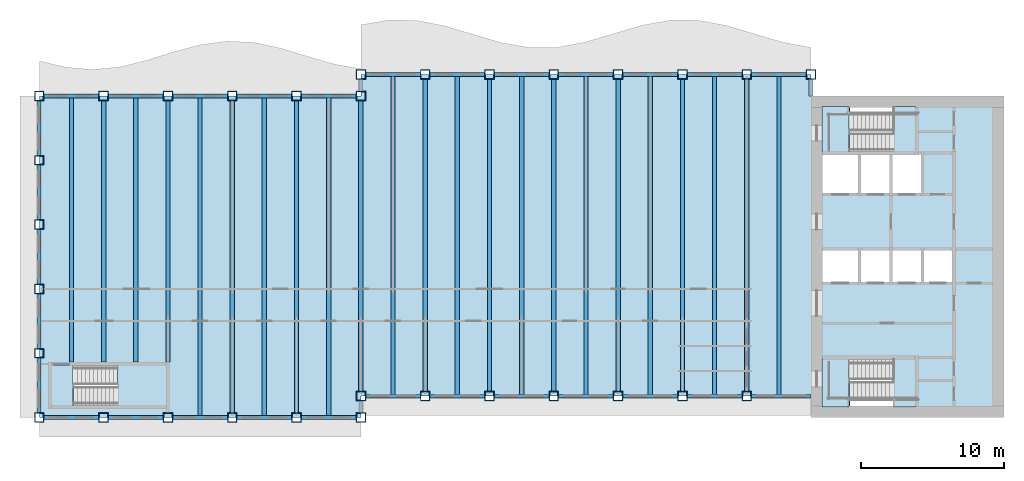
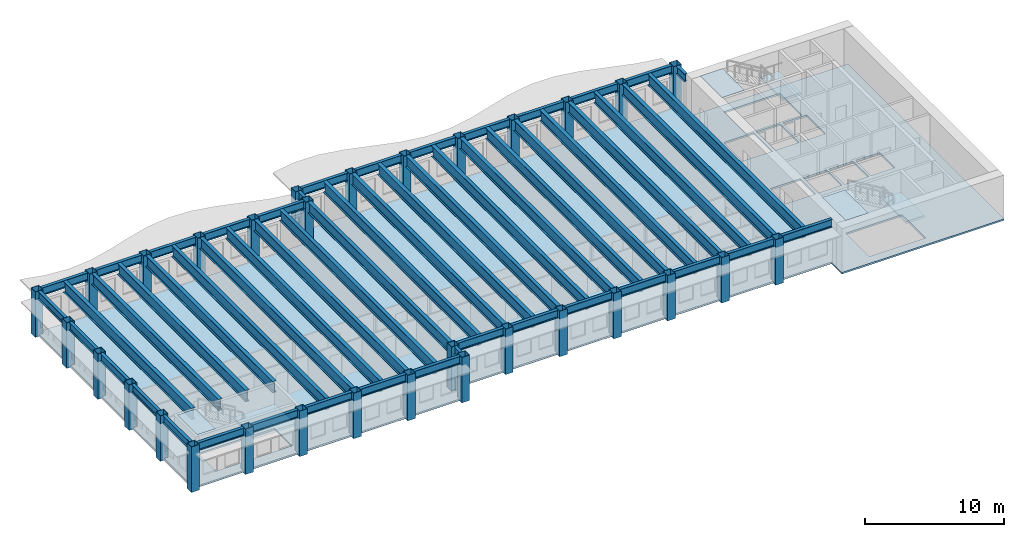
# One storey, part 1 of 12: 55 beams, 31 columns, 7 slabs, 3 elements without a shape of their own.
"""IFC4 building model written with IfcOpenShell, lengths in metres."""

from ifc_helpers import new_model, si_unit, direction, frame, origin, origin_2d, place, context, subcontext, project, spatial, polyline, hollow_rectangle, i_section, outline, extrude, material, layer, layer_set, material_profile, profile_set, type_object, element, aggregate, save


model = new_model("IFC4")

# Units and contexts
model_context = context("Model", 3, precision=1e-05, world=origin(), true_north=direction((0.0, 1.0)))
body_context = subcontext(model_context, "Body", "Model", "MODEL_VIEW")
ifc_project = project(units=[si_unit("LENGTHUNIT", "METRE"), si_unit("AREAUNIT", "SQUARE_METRE"), si_unit("VOLUMEUNIT", "CUBIC_METRE"), si_unit("PLANEANGLEUNIT", "RADIAN"), si_unit("MASSUNIT", "GRAM", prefix="KILO")], contexts=[model_context])

# Site, building, storey
site_placement = place(None, origin())
site = spatial("IfcSite", under=ifc_project, at=site_placement, CompositionType="ELEMENT")
building_placement = place(site_placement, origin())
building = spatial("IfcBuilding", under=site, at=building_placement, Name="Sennacour Bend Tower", CompositionType="ELEMENT")
storey_placement = place(building_placement, frame((0.0, 0.0, 277.0)))
storey = spatial("IfcBuildingStorey", under=building, at=storey_placement, Name="L64", CompositionType="ELEMENT", Elevation=277.0)

# Columns
ifc_material_1 = material(Name="Steel ASTM A572 Grade 50", Category="steel")
ifc_material_profile_1 = material_profile(ifc_material_1, hollow_rectangle(XDim=0.64990234375, YDim=0.64990234375, WallThickness=0.031982421875, at=origin_2d()), Name="Steel ASTM A572 Grade 50", Category="steel")
ifc_profile_set_1 = profile_set([ifc_material_profile_1], Name="Steel ASTM A572 Grade 50")
column_type = type_object("IfcColumnType", Name="Box column 650", PredefinedType="COLUMN", material=ifc_profile_set_1)
for number, where, z_axis, x_axis, name in (
    (1, (0.0, 0.0, -0.14990234375), (0.0, 0.0, 1.0), (1.0, 0.0, 0.0), "Perimeter column C5 L64-001"),
    (2, (0.0, 4.5, -0.14990234375), (0.0, 0.0, 1.0), (1.0, 0.0, 0.0), "Perimeter column C5 L64-002"),
    (3, (0.0, 9.0, -0.14990234375), (0.0, 0.0, 1.0), (1.0, 0.0, 0.0), "Perimeter column C5 L64-003"),
    (4, (0.0, 13.5, -0.14990234375), (0.0, 0.0, 1.0), (1.0, 0.0, 0.0), "Perimeter column C5 L64-004"),
    (5, (0.0, 18.0, -0.14990234375), (0.0, 0.0, 1.0), (1.0, 0.0, 0.0), "Perimeter column C5 L64-005"),
    (6, (0.0, 22.5, -0.14990234375), (0.0, 0.0, 1.0), (1.0, 0.0, 0.0), "Perimeter column C5 L64-006"),
    (7, (4.5, 0.0, -0.14990234375), (0.0, 0.0, 1.0), (1.0, 0.0, 0.0), "Perimeter column C5 L64-007"),
    (8, (4.5, 22.5, -0.14990234375), (0.0, 0.0, 1.0), (1.0, 0.0, 0.0), "Perimeter column C5 L64-008"),
    (9, (9.0, 0.0, -0.14990234375), (0.0, 0.0, 1.0), (1.0, 0.0, 0.0), "Perimeter column C5 L64-009"),
    (10, (9.0, 22.5, -0.14990234375), (0.0, 0.0, 1.0), (1.0, 0.0, 0.0), "Perimeter column C5 L64-010"),
    (11, (13.5, 0.0, -0.14990234375), (0.0, 0.0, 1.0), (1.0, 0.0, 0.0), "Perimeter column C5 L64-011"),
    (12, (13.5, 22.5, -0.14990234375), (0.0, 0.0, 1.0), (1.0, 0.0, 0.0), "Perimeter column C5 L64-012"),
    (13, (18.0, 0.0, -0.14990234375), (0.0, 0.0, 1.0), (1.0, 0.0, 0.0), "Perimeter column C5 L64-013"),
    (14, (18.0, 22.5, -0.14990234375), (0.0, 0.0, 1.0), (1.0, 0.0, 0.0), "Perimeter column C5 L64-014"),
    (15, (22.5, 0.0, -0.14990234375), (0.0, 0.0, 1.0), (1.0, 0.0, 0.0), "Perimeter column C5 L64-015"),
    (16, (22.5, 1.5, -0.14990234375), (0.0, 0.0, 1.0), (1.0, 0.0, 0.0), "Perimeter column C5 L64-016"),
    (17, (22.5, 22.5, -0.14990234375), (0.0, 0.0, 1.0), (1.0, 0.0, 0.0), "Perimeter column C5 L64-017"),
    (18, (22.5, 24.0, -0.14990234375), (0.0, 0.0, 1.0), (1.0, 0.0, 0.0), "Perimeter column C5 L64-018"),
    (19, (27.0, 1.5, -0.14990234375), (0.0, 0.0, 1.0), (1.0, 0.0, 0.0), "Perimeter column C5 L64-019"),
    (20, (27.0, 24.0, -0.14990234375), (0.0, 0.0, 1.0), (1.0, 0.0, 0.0), "Perimeter column C5 L64-020"),
    (21, (31.5, 1.5, -0.14990234375), (0.0, 0.0, 1.0), (1.0, 0.0, 0.0), "Perimeter column C5 L64-021"),
    (22, (31.5, 24.0, -0.14990234375), (0.0, 0.0, 1.0), (1.0, 0.0, 0.0), "Perimeter column C5 L64-022"),
    (23, (36.0, 1.5, -0.14990234375), (0.0, 0.0, 1.0), (1.0, 0.0, 0.0), "Perimeter column C5 L64-023"),
    (24, (36.0, 24.0, -0.14990234375), (0.0, 0.0, 1.0), (1.0, 0.0, 0.0), "Perimeter column C5 L64-024"),
    (25, (40.5, 1.5, -0.14990234375), (0.0, 0.0, 1.0), (1.0, 0.0, 0.0), "Perimeter column C5 L64-025"),
    (26, (40.5, 24.0, -0.14990234375), (0.0, 0.0, 1.0), (1.0, 0.0, 0.0), "Perimeter column C5 L64-026"),
    (27, (45.0, 1.5, -0.14990234375), (0.0, 0.0, 1.0), (1.0, 0.0, 0.0), "Perimeter column C5 L64-027"),
    (28, (45.0, 24.0, -0.14990234375), (0.0, 0.0, 1.0), (1.0, 0.0, 0.0), "Perimeter column C5 L64-028"),
    (29, (49.5, 1.5, -0.14990234375), (0.0, 0.0, 1.0), (1.0, 0.0, 0.0), "Perimeter column C5 L64-029"),
    (30, (49.5, 24.0, -0.14990234375), (0.0, 0.0, 1.0), (1.0, 0.0, 0.0), "Perimeter column C5 L64-030"),
    (31, (54.0, 24.0, -0.14990234375), (0.0, 0.0, 1.0), (1.0, 0.0, 0.0), "Perimeter column C5 L64-031"),
):
    element("IfcColumn", number, at=place(storey_placement, frame(where, z_axis=z_axis, x_axis=x_axis)), inside=storey, type_object=column_type, Name=name, PredefinedType="COLUMN", context=body_context, shape_type="SweptSolid", body=[
        extrude(hollow_rectangle(XDim=0.64990234375, YDim=0.64990234375, WallThickness=0.031982421875, at=origin_2d()), origin(), (0.0, 0.0, 1.0), 4.0),
    ])

# Beams
ifc_material_2 = material(Name="Steel ASTM A992 Grade 50", Category="steel")
ifc_material_profile_2 = material_profile(ifc_material_2, i_section(OverallWidth=0.300048828125, OverallDepth=0.97998046875, WebThickness=0.0166015625, FlangeThickness=0.026123046875, FilletRadius=0.02978515625, at=origin_2d()), Name="Steel ASTM A992 Grade 50", Category="steel")
ifc_profile_set_2 = profile_set([ifc_material_profile_2], Name="Steel ASTM A992 Grade 50")
beam_type_1 = type_object("IfcBeamType", Name="Floor beam W1000X249", PredefinedType="BEAM", material=ifc_profile_set_2)
beam_1_placement = place(storey_placement, frame((2.25, 3.875, 3.360107421875), z_axis=(0.0, 1.0, 0.0), x_axis=(-1.0, 0.0, 0.0)))
element("IfcBeam", 32, at=beam_1_placement, inside=storey, type_object=beam_type_1, Name="Floor beam FBM2 L65-001", PredefinedType="BEAM", context=body_context, shape_type="SweptSolid", body=[
    extrude(i_section(OverallWidth=0.300048828125, OverallDepth=0.97998046875, WebThickness=0.0166015625, FlangeThickness=0.026123046875, FilletRadius=0.02978515625, at=origin_2d()), origin(), (0.0, 0.0, 1.0), 18.498046875),
])
beam_2_placement = place(storey_placement, frame((4.5, 3.875, 3.360107421875), z_axis=(0.0, 1.0, 0.0), x_axis=(-1.0, 0.0, 0.0)))
element("IfcBeam", 33, at=beam_2_placement, inside=storey, type_object=beam_type_1, Name="Floor beam FBM2 L65-002", PredefinedType="BEAM", context=body_context, shape_type="SweptSolid", body=[
    extrude(i_section(OverallWidth=0.300048828125, OverallDepth=0.97998046875, WebThickness=0.0166015625, FlangeThickness=0.026123046875, FilletRadius=0.02978515625, at=origin_2d()), origin(), (0.0, 0.0, 1.0), 18.300048828125),
])
beam_3_placement = place(storey_placement, frame((6.75, 3.875, 3.360107421875), z_axis=(0.0, 1.0, 0.0), x_axis=(-1.0, 0.0, 0.0)))
element("IfcBeam", 34, at=beam_3_placement, inside=storey, type_object=beam_type_1, Name="Floor beam FBM2 L65-003", PredefinedType="BEAM", context=body_context, shape_type="SweptSolid", body=[
    extrude(i_section(OverallWidth=0.300048828125, OverallDepth=0.97998046875, WebThickness=0.0166015625, FlangeThickness=0.026123046875, FilletRadius=0.02978515625, at=origin_2d()), origin(), (0.0, 0.0, 1.0), 18.498046875),
])
beam_4_placement = place(storey_placement, frame((9.0, 3.875, 3.360107421875), z_axis=(0.0, 1.0, 0.0), x_axis=(-1.0, 0.0, 0.0)))
element("IfcBeam", 35, at=beam_4_placement, inside=storey, type_object=beam_type_1, Name="Floor beam FBM2 L65-004", PredefinedType="BEAM", context=body_context, shape_type="SweptSolid", body=[
    extrude(i_section(OverallWidth=0.300048828125, OverallDepth=0.97998046875, WebThickness=0.0166015625, FlangeThickness=0.026123046875, FilletRadius=0.02978515625, at=origin_2d()), origin(), (0.0, 0.0, 1.0), 18.300048828125),
])
beam_5_placement = place(storey_placement, frame((11.25, 0.126953125, 3.360107421875), z_axis=(0.0, 1.0, 0.0), x_axis=(-1.0, 0.0, 0.0)))
element("IfcBeam", 36, at=beam_5_placement, inside=storey, type_object=beam_type_1, Name="Floor beam FBM2 L65-005", PredefinedType="BEAM", context=body_context, shape_type="SweptSolid", body=[
    extrude(i_section(OverallWidth=0.300048828125, OverallDepth=0.97998046875, WebThickness=0.0166015625, FlangeThickness=0.026123046875, FilletRadius=0.02978515625, at=origin_2d()), origin(), (0.0, 0.0, 1.0), 22.24609375),
])
beam_6_placement = place(storey_placement, frame((13.5, 0.324951171875, 3.360107421875), z_axis=(0.0, 1.0, 0.0), x_axis=(-1.0, 0.0, 0.0)))
element("IfcBeam", 37, at=beam_6_placement, inside=storey, type_object=beam_type_1, Name="Floor beam FBM2 L65-006", PredefinedType="BEAM", context=body_context, shape_type="SweptSolid", body=[
    extrude(i_section(OverallWidth=0.300048828125, OverallDepth=0.97998046875, WebThickness=0.0166015625, FlangeThickness=0.026123046875, FilletRadius=0.02978515625, at=origin_2d()), origin(), (0.0, 0.0, 1.0), 21.85009765625),
])
beam_7_placement = place(storey_placement, frame((15.75, 0.126953125, 3.360107421875), z_axis=(0.0, 1.0, 0.0), x_axis=(-1.0, 0.0, 0.0)))
element("IfcBeam", 38, at=beam_7_placement, inside=storey, type_object=beam_type_1, Name="Floor beam FBM2 L65-007", PredefinedType="BEAM", context=body_context, shape_type="SweptSolid", body=[
    extrude(i_section(OverallWidth=0.300048828125, OverallDepth=0.97998046875, WebThickness=0.0166015625, FlangeThickness=0.026123046875, FilletRadius=0.02978515625, at=origin_2d()), origin(), (0.0, 0.0, 1.0), 22.24609375),
])
beam_8_placement = place(storey_placement, frame((18.0, 0.324951171875, 3.360107421875), z_axis=(0.0, 1.0, 0.0), x_axis=(-1.0, 0.0, 0.0)))
element("IfcBeam", 39, at=beam_8_placement, inside=storey, type_object=beam_type_1, Name="Floor beam FBM2 L65-008", PredefinedType="BEAM", context=body_context, shape_type="SweptSolid", body=[
    extrude(i_section(OverallWidth=0.300048828125, OverallDepth=0.97998046875, WebThickness=0.0166015625, FlangeThickness=0.026123046875, FilletRadius=0.02978515625, at=origin_2d()), origin(), (0.0, 0.0, 1.0), 21.85009765625),
])
beam_9_placement = place(storey_placement, frame((20.25, 0.126953125, 3.360107421875), z_axis=(0.0, 1.0, 0.0), x_axis=(-1.0, 0.0, 0.0)))
element("IfcBeam", 40, at=beam_9_placement, inside=storey, type_object=beam_type_1, Name="Floor beam FBM2 L65-009", PredefinedType="BEAM", context=body_context, shape_type="SweptSolid", body=[
    extrude(i_section(OverallWidth=0.300048828125, OverallDepth=0.97998046875, WebThickness=0.0166015625, FlangeThickness=0.026123046875, FilletRadius=0.02978515625, at=origin_2d()), origin(), (0.0, 0.0, 1.0), 22.24609375),
])
beam_10_placement = place(storey_placement, frame((22.5, 1.824951171875, 3.360107421875), z_axis=(0.0, 1.0, 0.0), x_axis=(-1.0, 0.0, 0.0)))
element("IfcBeam", 41, at=beam_10_placement, inside=storey, type_object=beam_type_1, Name="Floor beam FBM2 L65-010", PredefinedType="BEAM", context=body_context, shape_type="SweptSolid", body=[
    extrude(i_section(OverallWidth=0.300048828125, OverallDepth=0.97998046875, WebThickness=0.0166015625, FlangeThickness=0.026123046875, FilletRadius=0.02978515625, at=origin_2d()), origin(), (0.0, 0.0, 1.0), 20.35009765625),
])
beam_11_placement = place(storey_placement, frame((24.75, 1.626953125, 3.360107421875), z_axis=(0.0, 1.0, 0.0), x_axis=(-1.0, 0.0, 0.0)))
element("IfcBeam", 42, at=beam_11_placement, inside=storey, type_object=beam_type_1, Name="Floor beam FBM2 L65-011", PredefinedType="BEAM", context=body_context, shape_type="SweptSolid", body=[
    extrude(i_section(OverallWidth=0.300048828125, OverallDepth=0.97998046875, WebThickness=0.0166015625, FlangeThickness=0.026123046875, FilletRadius=0.02978515625, at=origin_2d()), origin(), (0.0, 0.0, 1.0), 22.24609375),
])
beam_12_placement = place(storey_placement, frame((27.0, 1.824951171875, 3.360107421875), z_axis=(0.0, 1.0, 0.0), x_axis=(-1.0, 0.0, 0.0)))
element("IfcBeam", 43, at=beam_12_placement, inside=storey, type_object=beam_type_1, Name="Floor beam FBM2 L65-012", PredefinedType="BEAM", context=body_context, shape_type="SweptSolid", body=[
    extrude(i_section(OverallWidth=0.300048828125, OverallDepth=0.97998046875, WebThickness=0.0166015625, FlangeThickness=0.026123046875, FilletRadius=0.02978515625, at=origin_2d()), origin(), (0.0, 0.0, 1.0), 21.85009765625),
])
beam_13_placement = place(storey_placement, frame((29.25, 1.626953125, 3.360107421875), z_axis=(0.0, 1.0, 0.0), x_axis=(-1.0, 0.0, 0.0)))
element("IfcBeam", 44, at=beam_13_placement, inside=storey, type_object=beam_type_1, Name="Floor beam FBM2 L65-013", PredefinedType="BEAM", context=body_context, shape_type="SweptSolid", body=[
    extrude(i_section(OverallWidth=0.300048828125, OverallDepth=0.97998046875, WebThickness=0.0166015625, FlangeThickness=0.026123046875, FilletRadius=0.02978515625, at=origin_2d()), origin(), (0.0, 0.0, 1.0), 22.24609375),
])
beam_14_placement = place(storey_placement, frame((31.5, 1.824951171875, 3.360107421875), z_axis=(0.0, 1.0, 0.0), x_axis=(-1.0, 0.0, 0.0)))
element("IfcBeam", 45, at=beam_14_placement, inside=storey, type_object=beam_type_1, Name="Floor beam FBM2 L65-014", PredefinedType="BEAM", context=body_context, shape_type="SweptSolid", body=[
    extrude(i_section(OverallWidth=0.300048828125, OverallDepth=0.97998046875, WebThickness=0.0166015625, FlangeThickness=0.026123046875, FilletRadius=0.02978515625, at=origin_2d()), origin(), (0.0, 0.0, 1.0), 21.85009765625),
])
beam_15_placement = place(storey_placement, frame((33.75, 1.626953125, 3.360107421875), z_axis=(0.0, 1.0, 0.0), x_axis=(-1.0, 0.0, 0.0)))
element("IfcBeam", 46, at=beam_15_placement, inside=storey, type_object=beam_type_1, Name="Floor beam FBM2 L65-015", PredefinedType="BEAM", context=body_context, shape_type="SweptSolid", body=[
    extrude(i_section(OverallWidth=0.300048828125, OverallDepth=0.97998046875, WebThickness=0.0166015625, FlangeThickness=0.026123046875, FilletRadius=0.02978515625, at=origin_2d()), origin(), (0.0, 0.0, 1.0), 22.24609375),
])
beam_16_placement = place(storey_placement, frame((36.0, 1.824951171875, 3.360107421875), z_axis=(0.0, 1.0, 0.0), x_axis=(-1.0, 0.0, 0.0)))
element("IfcBeam", 47, at=beam_16_placement, inside=storey, type_object=beam_type_1, Name="Floor beam FBM2 L65-016", PredefinedType="BEAM", context=body_context, shape_type="SweptSolid", body=[
    extrude(i_section(OverallWidth=0.300048828125, OverallDepth=0.97998046875, WebThickness=0.0166015625, FlangeThickness=0.026123046875, FilletRadius=0.02978515625, at=origin_2d()), origin(), (0.0, 0.0, 1.0), 21.85009765625),
])
beam_17_placement = place(storey_placement, frame((38.25, 1.626953125, 3.360107421875), z_axis=(0.0, 1.0, 0.0), x_axis=(-1.0, 0.0, 0.0)))
element("IfcBeam", 48, at=beam_17_placement, inside=storey, type_object=beam_type_1, Name="Floor beam FBM2 L65-017", PredefinedType="BEAM", context=body_context, shape_type="SweptSolid", body=[
    extrude(i_section(OverallWidth=0.300048828125, OverallDepth=0.97998046875, WebThickness=0.0166015625, FlangeThickness=0.026123046875, FilletRadius=0.02978515625, at=origin_2d()), origin(), (0.0, 0.0, 1.0), 22.24609375),
])
beam_18_placement = place(storey_placement, frame((40.5, 1.824951171875, 3.360107421875), z_axis=(0.0, 1.0, 0.0), x_axis=(-1.0, 0.0, 0.0)))
element("IfcBeam", 49, at=beam_18_placement, inside=storey, type_object=beam_type_1, Name="Floor beam FBM2 L65-018", PredefinedType="BEAM", context=body_context, shape_type="SweptSolid", body=[
    extrude(i_section(OverallWidth=0.300048828125, OverallDepth=0.97998046875, WebThickness=0.0166015625, FlangeThickness=0.026123046875, FilletRadius=0.02978515625, at=origin_2d()), origin(), (0.0, 0.0, 1.0), 21.85009765625),
])
beam_19_placement = place(storey_placement, frame((42.75, 1.626953125, 3.360107421875), z_axis=(0.0, 1.0, 0.0), x_axis=(-1.0, 0.0, 0.0)))
element("IfcBeam", 50, at=beam_19_placement, inside=storey, type_object=beam_type_1, Name="Floor beam FBM2 L65-019", PredefinedType="BEAM", context=body_context, shape_type="SweptSolid", body=[
    extrude(i_section(OverallWidth=0.300048828125, OverallDepth=0.97998046875, WebThickness=0.0166015625, FlangeThickness=0.026123046875, FilletRadius=0.02978515625, at=origin_2d()), origin(), (0.0, 0.0, 1.0), 22.24609375),
])
beam_20_placement = place(storey_placement, frame((45.0, 1.824951171875, 3.360107421875), z_axis=(0.0, 1.0, 0.0), x_axis=(-1.0, 0.0, 0.0)))
element("IfcBeam", 51, at=beam_20_placement, inside=storey, type_object=beam_type_1, Name="Floor beam FBM2 L65-020", PredefinedType="BEAM", context=body_context, shape_type="SweptSolid", body=[
    extrude(i_section(OverallWidth=0.300048828125, OverallDepth=0.97998046875, WebThickness=0.0166015625, FlangeThickness=0.026123046875, FilletRadius=0.02978515625, at=origin_2d()), origin(), (0.0, 0.0, 1.0), 21.85009765625),
])
beam_21_placement = place(storey_placement, frame((47.25, 1.626953125, 3.360107421875), z_axis=(0.0, 1.0, 0.0), x_axis=(-1.0, 0.0, 0.0)))
element("IfcBeam", 52, at=beam_21_placement, inside=storey, type_object=beam_type_1, Name="Floor beam FBM2 L65-021", PredefinedType="BEAM", context=body_context, shape_type="SweptSolid", body=[
    extrude(i_section(OverallWidth=0.300048828125, OverallDepth=0.97998046875, WebThickness=0.0166015625, FlangeThickness=0.026123046875, FilletRadius=0.02978515625, at=origin_2d()), origin(), (0.0, 0.0, 1.0), 22.24609375),
])
beam_22_placement = place(storey_placement, frame((49.5, 1.824951171875, 3.360107421875), z_axis=(0.0, 1.0, 0.0), x_axis=(-1.0, 0.0, 0.0)))
element("IfcBeam", 53, at=beam_22_placement, inside=storey, type_object=beam_type_1, Name="Floor beam FBM2 L65-022", PredefinedType="BEAM", context=body_context, shape_type="SweptSolid", body=[
    extrude(i_section(OverallWidth=0.300048828125, OverallDepth=0.97998046875, WebThickness=0.0166015625, FlangeThickness=0.026123046875, FilletRadius=0.02978515625, at=origin_2d()), origin(), (0.0, 0.0, 1.0), 21.85009765625),
])
beam_23_placement = place(storey_placement, frame((51.75, 1.626953125, 3.360107421875), z_axis=(0.0, 1.0, 0.0), x_axis=(-1.0, 0.0, 0.0)))
element("IfcBeam", 54, at=beam_23_placement, inside=storey, type_object=beam_type_1, Name="Floor beam FBM2 L65-023", PredefinedType="BEAM", context=body_context, shape_type="SweptSolid", body=[
    extrude(i_section(OverallWidth=0.300048828125, OverallDepth=0.97998046875, WebThickness=0.0166015625, FlangeThickness=0.026123046875, FilletRadius=0.02978515625, at=origin_2d()), origin(), (0.0, 0.0, 1.0), 22.24609375),
])
ifc_material_profile_3 = material_profile(ifc_material_2, i_section(OverallWidth=0.25390625, OverallDepth=0.68798828125, WebThickness=0.01318359375, FlangeThickness=0.02099609375, FilletRadius=0.01513671875, at=origin_2d()), Name="Steel ASTM A992 Grade 50", Category="steel")
ifc_profile_set_3 = profile_set([ifc_material_profile_3], Name="Steel ASTM A992 Grade 50")
beam_type_2 = type_object("IfcBeamType", Name="Spandrel beam W690X152", PredefinedType="SPANDREL", material=ifc_profile_set_3)
for number, where, z_axis, x_axis, name in (
    (55, (22.175048828125, 0.0, 3.506103515625), (-1.0, 0.0, 0.0), (0.0, -1.0, 0.0), "Spandrel beam SP6 L65-001"),
    (56, (17.675048828125, 0.0, 3.506103515625), (-1.0, 0.0, 0.0), (0.0, -1.0, 0.0), "Spandrel beam SP6 L65-002"),
    (57, (13.175048828125, 0.0, 3.506103515625), (-1.0, 0.0, 0.0), (0.0, -1.0, 0.0), "Spandrel beam SP6 L65-003"),
    (58, (8.675048828125, 0.0, 3.506103515625), (-1.0, 0.0, 0.0), (0.0, -1.0, 0.0), "Spandrel beam SP6 L65-004"),
    (59, (4.175048828125, 0.0, 3.506103515625), (-1.0, 0.0, 0.0), (0.0, -1.0, 0.0), "Spandrel beam SP6 L65-005"),
    (60, (0.0, 0.324951171875, 3.506103515625), (0.0, 1.0, 0.0), (-1.0, 0.0, 0.0), "Spandrel beam SP6 L65-006"),
    (61, (0.0, 4.824951171875, 3.506103515625), (0.0, 1.0, 0.0), (-1.0, 0.0, 0.0), "Spandrel beam SP6 L65-007"),
    (62, (0.0, 9.324951171875, 3.506103515625), (0.0, 1.0, 0.0), (-1.0, 0.0, 0.0), "Spandrel beam SP6 L65-008"),
    (63, (0.0, 13.824951171875, 3.506103515625), (0.0, 1.0, 0.0), (-1.0, 0.0, 0.0), "Spandrel beam SP6 L65-009"),
    (64, (0.0, 18.324951171875, 3.506103515625), (0.0, 1.0, 0.0), (-1.0, 0.0, 0.0), "Spandrel beam SP6 L65-010"),
    (65, (0.324951171875, 22.5, 3.506103515625), (1.0, 0.0, 0.0), (0.0, 1.0, 0.0), "Spandrel beam SP6 L65-011"),
    (66, (4.824951171875, 22.5, 3.506103515625), (1.0, 0.0, 0.0), (0.0, 1.0, 0.0), "Spandrel beam SP6 L65-012"),
    (67, (9.324951171875, 22.5, 3.506103515625), (1.0, 0.0, 0.0), (0.0, 1.0, 0.0), "Spandrel beam SP6 L65-013"),
    (68, (13.824951171875, 22.5, 3.506103515625), (1.0, 0.0, 0.0), (0.0, 1.0, 0.0), "Spandrel beam SP6 L65-014"),
    (69, (18.324951171875, 22.5, 3.506103515625), (1.0, 0.0, 0.0), (0.0, 1.0, 0.0), "Spandrel beam SP6 L65-015"),
):
    element("IfcBeam", number, at=place(storey_placement, frame(where, z_axis=z_axis, x_axis=x_axis)), inside=storey, type_object=beam_type_2, Name=name, PredefinedType="SPANDREL", context=body_context, shape_type="SweptSolid", body=[
        extrude(i_section(OverallWidth=0.25390625, OverallDepth=0.68798828125, WebThickness=0.01318359375, FlangeThickness=0.02099609375, FilletRadius=0.01513671875, at=origin_2d()), origin(), (0.0, 0.0, 1.0), 3.85009765625),
    ])
beam_24_placement = place(storey_placement, frame((22.5, 22.824951171875, 3.506103515625), z_axis=(0.0, 1.0, 0.0), x_axis=(-1.0, 0.0, 0.0)))
element("IfcBeam", 70, at=beam_24_placement, inside=storey, type_object=beam_type_2, Name="Spandrel beam SP6 L65-016", PredefinedType="SPANDREL", context=body_context, shape_type="SweptSolid", body=[
    extrude(i_section(OverallWidth=0.25390625, OverallDepth=0.68798828125, WebThickness=0.01318359375, FlangeThickness=0.02099609375, FilletRadius=0.01513671875, at=origin_2d()), origin(), (0.0, 0.0, 1.0), 0.85009765625),
])
for number, where, z_axis, x_axis, name in (
    (71, (22.824951171875, 24.0, 3.506103515625), (1.0, 0.0, 0.0), (0.0, 1.0, 0.0), "Spandrel beam SP6 L65-017"),
    (72, (27.324951171875, 24.0, 3.506103515625), (1.0, 0.0, 0.0), (0.0, 1.0, 0.0), "Spandrel beam SP6 L65-018"),
    (73, (31.824951171875, 24.0, 3.506103515625), (1.0, 0.0, 0.0), (0.0, 1.0, 0.0), "Spandrel beam SP6 L65-019"),
    (74, (36.324951171875, 24.0, 3.506103515625), (1.0, 0.0, 0.0), (0.0, 1.0, 0.0), "Spandrel beam SP6 L65-020"),
    (75, (40.824951171875, 24.0, 3.506103515625), (1.0, 0.0, 0.0), (0.0, 1.0, 0.0), "Spandrel beam SP6 L65-021"),
    (76, (45.324951171875, 24.0, 3.506103515625), (1.0, 0.0, 0.0), (0.0, 1.0, 0.0), "Spandrel beam SP6 L65-022"),
    (77, (49.824951171875, 24.0, 3.506103515625), (1.0, 0.0, 0.0), (0.0, 1.0, 0.0), "Spandrel beam SP6 L65-023"),
):
    element("IfcBeam", number, at=place(storey_placement, frame(where, z_axis=z_axis, x_axis=x_axis)), inside=storey, type_object=beam_type_2, Name=name, PredefinedType="SPANDREL", context=body_context, shape_type="SweptSolid", body=[
        extrude(i_section(OverallWidth=0.25390625, OverallDepth=0.68798828125, WebThickness=0.01318359375, FlangeThickness=0.02099609375, FilletRadius=0.01513671875, at=origin_2d()), origin(), (0.0, 0.0, 1.0), 3.85009765625),
    ])
beam_25_placement = place(storey_placement, frame((54.0, 23.675048828125, 3.506103515625), z_axis=(0.0, -1.0, 0.0), x_axis=(1.0, 0.0, 0.0)))
element("IfcBeam", 78, at=beam_25_placement, inside=storey, type_object=beam_type_2, Name="Spandrel beam SP6 L65-024", PredefinedType="SPANDREL", context=body_context, shape_type="SweptSolid", body=[
    extrude(i_section(OverallWidth=0.25390625, OverallDepth=0.68798828125, WebThickness=0.01318359375, FlangeThickness=0.02099609375, FilletRadius=0.01513671875, at=origin_2d()), origin(), (0.0, 0.0, 1.0), 1.175048828125),
])
beam_26_placement = place(storey_placement, frame((54.0, 1.5, 3.506103515625), z_axis=(-1.0, 0.0, 0.0), x_axis=(0.0, -1.0, 0.0)))
element("IfcBeam", 79, at=beam_26_placement, inside=storey, type_object=beam_type_2, Name="Spandrel beam SP6 L65-025", PredefinedType="SPANDREL", context=body_context, shape_type="SweptSolid", body=[
    extrude(i_section(OverallWidth=0.25390625, OverallDepth=0.68798828125, WebThickness=0.01318359375, FlangeThickness=0.02099609375, FilletRadius=0.01513671875, at=origin_2d()), origin(), (0.0, 0.0, 1.0), 4.175048828125),
])
for number, where, z_axis, x_axis, name in (
    (80, (49.175048828125, 1.5, 3.506103515625), (-1.0, 0.0, 0.0), (0.0, -1.0, 0.0), "Spandrel beam SP6 L65-026"),
    (81, (44.675048828125, 1.5, 3.506103515625), (-1.0, 0.0, 0.0), (0.0, -1.0, 0.0), "Spandrel beam SP6 L65-027"),
    (82, (40.175048828125, 1.5, 3.506103515625), (-1.0, 0.0, 0.0), (0.0, -1.0, 0.0), "Spandrel beam SP6 L65-028"),
    (83, (35.675048828125, 1.5, 3.506103515625), (-1.0, 0.0, 0.0), (0.0, -1.0, 0.0), "Spandrel beam SP6 L65-029"),
    (84, (31.175048828125, 1.5, 3.506103515625), (-1.0, 0.0, 0.0), (0.0, -1.0, 0.0), "Spandrel beam SP6 L65-030"),
    (85, (26.675048828125, 1.5, 3.506103515625), (-1.0, 0.0, 0.0), (0.0, -1.0, 0.0), "Spandrel beam SP6 L65-031"),
):
    element("IfcBeam", number, at=place(storey_placement, frame(where, z_axis=z_axis, x_axis=x_axis)), inside=storey, type_object=beam_type_2, Name=name, PredefinedType="SPANDREL", context=body_context, shape_type="SweptSolid", body=[
        extrude(i_section(OverallWidth=0.25390625, OverallDepth=0.68798828125, WebThickness=0.01318359375, FlangeThickness=0.02099609375, FilletRadius=0.01513671875, at=origin_2d()), origin(), (0.0, 0.0, 1.0), 3.85009765625),
    ])
beam_27_placement = place(storey_placement, frame((22.5, 1.175048828125, 3.506103515625), z_axis=(0.0, -1.0, 0.0), x_axis=(1.0, 0.0, 0.0)))
element("IfcBeam", 86, at=beam_27_placement, inside=storey, type_object=beam_type_2, Name="Spandrel beam SP6 L65-032", PredefinedType="SPANDREL", context=body_context, shape_type="SweptSolid", body=[
    extrude(i_section(OverallWidth=0.25390625, OverallDepth=0.68798828125, WebThickness=0.01318359375, FlangeThickness=0.02099609375, FilletRadius=0.01513671875, at=origin_2d()), origin(), (0.0, 0.0, 1.0), 0.85009765625),
])

# Slabs
ifc_material_3 = material(Name="Concrete C30/37", Category="concrete")
ifc_layer_1 = layer(ifc_material_3, 0.14990234375, Name="Concrete C30/37", Category="concrete")
ifc_layer_set_1 = layer_set([ifc_layer_1], Name="Concrete C30/37")
slab_type_1 = type_object("IfcSlabType", Name="Floor slab 150", PredefinedType="FLOOR", material=ifc_layer_set_1)
slab_1_placement = place(storey_placement, frame((0.0, 0.0, -0.14990234375)))
element("IfcSlab", 87, at=slab_1_placement, inside=storey, type_object=slab_type_1, Name="Floor slab L64-01", PredefinedType="FLOOR", context=body_context, shape_type="SweptSolid", body=[
    extrude(outline(polyline([(0.0, 0.0), (0.0, 22.5), (22.5, 22.5), (22.5, 24.0), (54.0, 24.0), (54.0, 22.5), (67.5, 22.5), (67.5, 0.0), (54.0, 0.0), (54.0, 1.5), (22.5, 1.5), (22.5, 0.0), (0.0, 0.0)]), holes=[polyline([(8.800048828125, 3.5), (2.429931640625, 3.5), (2.429931640625, 0.949951171875), (8.800048828125, 0.949951171875), (8.800048828125, 3.5)]), polyline([(61.39990234375, 4.125), (56.72998046875, 4.125), (56.72998046875, 0.75), (61.39990234375, 0.75), (61.39990234375, 4.125)]), polyline([(57.300048828125, 11.699951171875), (54.800048828125, 11.699951171875), (54.800048828125, 9.5), (57.300048828125, 9.5), (57.300048828125, 11.699951171875)]), polyline([(59.5, 9.5), (59.5, 11.699951171875), (57.5, 11.699951171875), (57.5, 9.5), (59.5, 9.5)]), polyline([(61.699951171875, 9.5), (61.699951171875, 11.699951171875), (59.699951171875, 11.699951171875), (59.699951171875, 9.5), (61.699951171875, 9.5)]), polyline([(63.89990234375, 11.699951171875), (61.89990234375, 11.699951171875), (61.89990234375, 9.5), (63.89990234375, 9.5), (63.89990234375, 11.699951171875)]), polyline([(57.300048828125, 18.39990234375), (54.800048828125, 18.39990234375), (54.800048828125, 15.699951171875), (57.300048828125, 15.699951171875), (57.300048828125, 18.39990234375)]), polyline([(59.5, 18.39990234375), (57.5, 18.39990234375), (57.5, 15.699951171875), (59.5, 15.699951171875), (59.5, 18.39990234375)]), polyline([(61.699951171875, 15.699951171875), (61.699951171875, 18.39990234375), (59.699951171875, 18.39990234375), (59.699951171875, 15.699951171875), (61.699951171875, 15.699951171875)]), polyline([(61.39990234375, 18.574951171875), (61.39990234375, 21.75), (56.72998046875, 21.75), (56.72998046875, 18.574951171875), (61.39990234375, 18.574951171875)])]), origin(), (0.0, 0.0, 1.0), 0.14990234375),
])
ifc_material_4 = material(Name="Concrete C40/50", Category="concrete")
ifc_layer_2 = layer(ifc_material_4, 0.034912109375, Name="Concrete C40/50", Category="concrete")
ifc_layer_set_2 = layer_set([ifc_layer_2], Name="Concrete C40/50")
slab_type_2 = type_object("IfcSlabType", Name="Stair arrival nib 35", PredefinedType="FLOOR", material=ifc_layer_set_2)
slab_2_placement = place(storey_placement, frame((0.0, 0.0, 3.815185546875)))
element("IfcSlab", 88, at=slab_2_placement, inside=storey, type_object=slab_type_2, Name="L64 SA1 stair arrival nib", PredefinedType="FLOOR", context=body_context, shape_type="SweptSolid", body=[
    extrude(outline(polyline([(56.64208984375, 4.125), (54.75, 4.125), (54.75, 0.75), (56.64208984375, 0.75), (56.64208984375, 4.125)])), origin(), (0.0, 0.0, 1.0), 0.034912109375),
])
slab_3_placement = place(storey_placement, frame((0.0, 0.0, 3.815185546875)))
element("IfcSlab", 89, at=slab_3_placement, inside=storey, type_object=slab_type_2, Name="L64 SA2 stair arrival nib", PredefinedType="FLOOR", context=body_context, shape_type="SweptSolid", body=[
    extrude(outline(polyline([(56.64208984375, 21.75), (54.75, 21.75), (54.75, 18.574951171875), (56.64208984375, 18.574951171875), (56.64208984375, 21.75)])), origin(), (0.0, 0.0, 1.0), 0.034912109375),
])
slab_4_placement = place(storey_placement, frame((0.0, 0.0, 3.815185546875)))
element("IfcSlab", 90, at=slab_4_placement, inside=storey, type_object=slab_type_2, Name="L64 SK1 stair arrival nib", PredefinedType="FLOOR", context=body_context, shape_type="SweptSolid", body=[
    extrude(outline(polyline([(2.342041015625, 3.675048828125), (0.800048828125, 3.675048828125), (0.800048828125, 0.800048828125), (2.342041015625, 0.800048828125), (2.342041015625, 3.675048828125)])), origin(), (0.0, 0.0, 1.0), 0.034912109375),
])

# Stair, slab
stair_type = type_object("IfcStairType", Name="ST-DOGLEG", PredefinedType="HALF_TURN_STAIR", material=ifc_material_4)
stair_1_placement = place(storey_placement, origin())
stair_1 = element("IfcStair", 91, at=stair_1_placement, inside=storey, type_object=stair_type, Name="L64 Exit stair A1", PredefinedType="HALF_TURN_STAIR")
ifc_layer_3 = layer(ifc_material_4, 0.199951171875, Name="Concrete C40/50", Category="concrete")
ifc_layer_set_3 = layer_set([ifc_layer_3], Name="Concrete C40/50")
slab_type_3 = type_object("IfcSlabType", Name="Stair landing 200", PredefinedType="LANDING", material=ifc_layer_set_3)
slab_5_placement = place(storey_placement, frame((0.0, 0.0, 1.800048828125)))
slab_5 = element("IfcSlab", 92, at=slab_5_placement, type_object=slab_type_3, Name="SA1 landing 1", PredefinedType="LANDING", context=body_context, shape_type="SweptSolid", body=[
    extrude(outline(polyline([(59.780029296875, 0.75), (61.324951171875, 0.75), (61.324951171875, 4.125), (59.780029296875, 4.125), (59.780029296875, 0.75)])), origin(), (0.0, 0.0, 1.0), 0.199951171875),
])
aggregate(stair_1, [slab_5])

stair_2_placement = place(storey_placement, origin())
stair_2 = element("IfcStair", 93, at=stair_2_placement, inside=storey, type_object=stair_type, Name="L64 Exit stair A2", PredefinedType="HALF_TURN_STAIR")
slab_6_placement = place(storey_placement, frame((0.0, 0.0, 1.800048828125)))
slab_6 = element("IfcSlab", 94, at=slab_6_placement, type_object=slab_type_3, Name="SA2 landing 1", PredefinedType="LANDING", context=body_context, shape_type="SweptSolid", body=[
    extrude(outline(polyline([(59.780029296875, 18.574951171875), (61.324951171875, 18.574951171875), (61.324951171875, 21.75), (59.780029296875, 21.75), (59.780029296875, 18.574951171875)])), origin(), (0.0, 0.0, 1.0), 0.199951171875),
])
aggregate(stair_2, [slab_6])

stair_3_placement = place(storey_placement, origin())
stair_3 = element("IfcStair", 95, at=stair_3_placement, inside=storey, type_object=stair_type, Name="L64 Exit stair K1", PredefinedType="HALF_TURN_STAIR")
slab_7_placement = place(storey_placement, frame((0.0, 0.0, 1.800048828125)))
slab_7 = element("IfcSlab", 96, at=slab_7_placement, type_object=slab_type_3, Name="SK1 landing 1", PredefinedType="LANDING", context=body_context, shape_type="SweptSolid", body=[
    extrude(outline(polyline([(5.47998046875, 0.800048828125), (8.925048828125, 0.800048828125), (8.925048828125, 3.675048828125), (5.47998046875, 3.675048828125), (5.47998046875, 0.800048828125)])), origin(), (0.0, 0.0, 1.0), 0.199951171875),
])
aggregate(stair_3, [slab_7])

save(model, "model.ifc")
